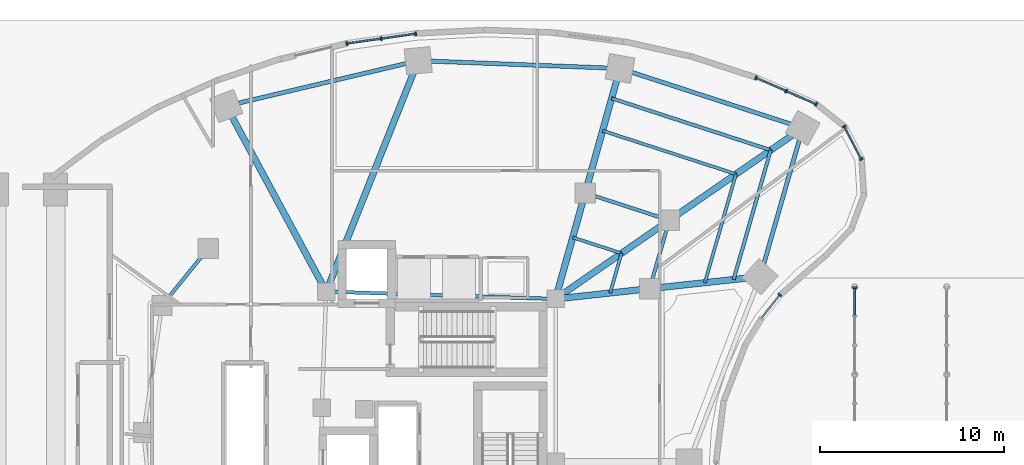
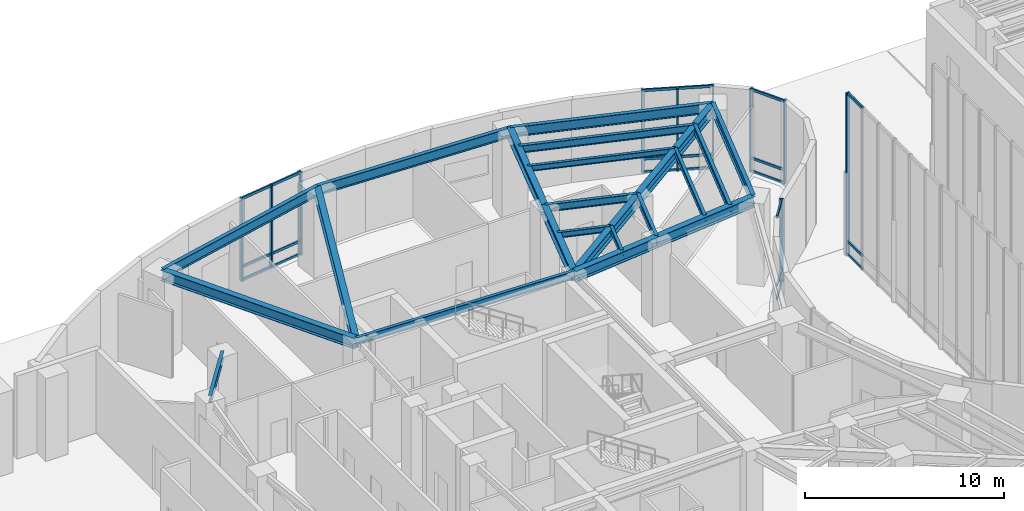
# One storey, part 11 of 28: 31 members, 22 beams, 5 elements without a shape of their own.
"""IFC4 building model written with IfcOpenShell, lengths in metres."""

from ifc_helpers import new_model, si_unit, direction, frame, origin, origin_2d, place, context, subcontext, project, spatial, rectangle, i_section, extrude, material, layer, layer_set, material_profile, profile_set, type_object, element, aggregate, save


model = new_model("IFC4")

# Units and contexts
model_context = context("Model", 3, precision=1e-05, world=origin(), true_north=direction((0.0, 1.0)))
body_context = subcontext(model_context, "Body", "Model", "MODEL_VIEW")
ifc_project = project(units=[si_unit("LENGTHUNIT", "METRE"), si_unit("AREAUNIT", "SQUARE_METRE"), si_unit("VOLUMEUNIT", "CUBIC_METRE"), si_unit("PLANEANGLEUNIT", "RADIAN"), si_unit("MASSUNIT", "GRAM", prefix="KILO")], contexts=[model_context])

# Site, building, storey
site_placement = place(None, origin())
site = spatial("IfcSite", under=ifc_project, at=site_placement, CompositionType="ELEMENT")
building_placement = place(site_placement, origin())
building = spatial("IfcBuilding", under=site, at=building_placement, Name="Korentha Bioscience Tower", CompositionType="ELEMENT")
storey_placement = place(building_placement, origin())
storey = spatial("IfcBuildingStorey", under=building, at=storey_placement, Name="L00", CompositionType="ELEMENT", Elevation=0.0)

# Beams
ifc_material_1 = material(Name="Steel S355", Category="steel")
ifc_material_profile_1 = material_profile(ifc_material_1, i_section(OverallWidth=0.18994140625, OverallDepth=0.45703125, WebThickness=0.009033203125, FlangeThickness=0.014404296875, at=origin_2d()), Name="Steel S355")
ifc_profile_set_1 = profile_set([ifc_material_profile_1], Name="Steel S355 (MB-460)")
beam_type_1 = type_object("IfcBeamType", Name="Mid-Ring Tie Girder W460x74", PredefinedType="BEAM", material=ifc_profile_set_1)
beam_1_placement = place(storey_placement, frame((43.7265625, 40.121337890625, 4.87158203125), z_axis=(-0.950877001105, 0.309568940253, 0.0), x_axis=(-0.309568940253, -0.950877001105, 0.0)))
element("IfcBeam", 1, at=beam_1_placement, inside=storey, type_object=beam_type_1, Name="L00 Mid-Ring Tie Girder 01", PredefinedType="BEAM", context=body_context, shape_type="SweptSolid", body=[
    extrude(i_section(OverallWidth=0.18994140625, OverallDepth=0.45703125, WebThickness=0.009033203125, FlangeThickness=0.014404296875, at=origin_2d()), origin(), (0.0, 0.0, 1.0), 4.80126953125),
])
beam_2_placement = place(storey_placement, frame((18.692138671875, 38.5947265625, 4.87158203125), z_axis=(-0.629790009744, -0.776765436684, 0.0), x_axis=(0.776765436684, -0.629790009744, 0.0)))
element("IfcBeam", 2, at=beam_2_placement, inside=storey, type_object=beam_type_1, Name="L00 Mid-Ring Tie Girder 05", PredefinedType="BEAM", context=body_context, shape_type="SweptSolid", body=[
    extrude(i_section(OverallWidth=0.18994140625, OverallDepth=0.45703125, WebThickness=0.009033203125, FlangeThickness=0.014404296875, at=origin_2d()), origin(), (0.0, 0.0, 1.0), 3.998291015625),
])
beam_3_placement = place(storey_placement, frame((42.66162109375, 36.406982421875, 4.87158203125), z_axis=(0.27560557792, 0.961270807535, 0.0), x_axis=(-0.961270807535, 0.27560557792, 0.0)))
element("IfcBeam", 3, at=beam_3_placement, inside=storey, type_object=beam_type_1, Name="L00 Mid-Ring Tie Girder 16", PredefinedType="BEAM", context=body_context, shape_type="SweptSolid", body=[
    extrude(i_section(OverallWidth=0.18994140625, OverallDepth=0.45703125, WebThickness=0.009033203125, FlangeThickness=0.014404296875, at=origin_2d()), origin(), (0.0, 0.0, 1.0), 3.864013671875),
])
beam_4_placement = place(storey_placement, frame((37.550048828125, 35.85009765625, 4.87158203125), z_axis=(-0.999484526071, 0.032104238723, 0.0), x_axis=(-0.032104238723, -0.999484526071, 0.0)))
element("IfcBeam", 4, at=beam_4_placement, inside=storey, type_object=beam_type_1, Name="L00 Core Ring Tie Girder 01", PredefinedType="BEAM", context=body_context, shape_type="SweptSolid", body=[
    extrude(i_section(OverallWidth=0.18994140625, OverallDepth=0.45703125, WebThickness=0.009033203125, FlangeThickness=0.014404296875, at=origin_2d()), origin(), (0.0, 0.0, 1.0), 12.456298828125),
])

# Curtain wall, members
ifc_material_2 = material(Name="Stone-Clad Aluminium Frame", Category="masonry")
ifc_layer_1 = layer(ifc_material_2, 0.219970703125, Name="Stone-Clad Aluminium Frame")
ifc_layer_set_1 = layer_set([ifc_layer_1], Name="Stone-Clad Aluminium Frame (CW-P1)")
curtain_wall_type_1 = type_object("IfcCurtainWallType", Name="Podium Double-Height Stone-Mullion Curtain Wall CW-P1", PredefinedType="USERDEFINED", material=ifc_layer_set_1)
curtain_wall_1_placement = place(storey_placement, origin())
curtain_wall_1 = element("IfcCurtainWall", 5, at=curtain_wall_1_placement, inside=storey, type_object=curtain_wall_type_1, Name="L00 Curtain Wall 01", ObjectType="UNITISED", PredefinedType="USERDEFINED")
ifc_material_3 = material(Name="Anodised Aluminium 6063-T6", Category="aluminium")
ifc_material_profile_2 = material_profile(ifc_material_3, rectangle(XDim=0.090087890625, YDim=0.199951171875, at=origin_2d()), Name="Anodised Aluminium 6063-T6")
ifc_profile_set_2 = profile_set([ifc_material_profile_2], Name="Anodised Aluminium 6063-T6 (CW-MUL)")
member_type_1 = type_object("IfcMemberType", Name="Mullion RECT 90x200", PredefinedType="MULLION", material=ifc_profile_set_2)
member_1_placement = place(storey_placement, frame((51.71337890625, 46.420654296875, 0.0), z_axis=(0.0, 0.0, 1.0), x_axis=(-0.91593909057, 0.401317308828, 0.0)))
member_1 = element("IfcMember", 6, at=member_1_placement, type_object=member_type_1, Name="CW-L00-01 Mullion 1", PredefinedType="MULLION", context=body_context, shape_type="SweptSolid", body=[
    extrude(rectangle(XDim=0.090087890625, YDim=0.199951171875, at=origin_2d()), origin(), (0.0, 0.0, 1.0), 5.10009765625),
])
member_2_placement = place(storey_placement, frame((50.072998046875, 47.139404296875, 0.0), z_axis=(0.0, 0.0, 1.0), x_axis=(-0.91593909057, 0.401317308828, 0.0)))
member_2 = element("IfcMember", 7, at=member_2_placement, type_object=member_type_1, Name="CW-L00-01 Mullion 2", PredefinedType="MULLION", context=body_context, shape_type="SweptSolid", body=[
    extrude(rectangle(XDim=0.090087890625, YDim=0.199951171875, at=origin_2d()), origin(), (0.0, 0.0, 1.0), 5.10009765625),
])
member_3_placement = place(storey_placement, frame((48.43212890625, 47.8583984375, 0.0), z_axis=(0.0, 0.0, 1.0), x_axis=(-0.91593909057, 0.401317308828, 0.0)))
member_3 = element("IfcMember", 8, at=member_3_placement, type_object=member_type_1, Name="CW-L00-01 Mullion 3", PredefinedType="MULLION", context=body_context, shape_type="SweptSolid", body=[
    extrude(rectangle(XDim=0.090087890625, YDim=0.199951171875, at=origin_2d()), origin(), (0.0, 0.0, 1.0), 5.10009765625),
])

curtain_wall_2_placement = place(storey_placement, origin())
curtain_wall_2 = element("IfcCurtainWall", 9, at=curtain_wall_2_placement, inside=storey, type_object=curtain_wall_type_1, Name="L00 Curtain Wall 07", ObjectType="UNITISED", PredefinedType="USERDEFINED")
member_4_placement = place(storey_placement, frame((29.95849609375, 50.247802734375, 0.0), z_axis=(0.0, 0.0, 1.0), x_axis=(-0.990167372968, -0.139887717511, 0.0)))
member_4 = element("IfcMember", 10, at=member_4_placement, type_object=member_type_1, Name="CW-L00-07 Mullion 1", PredefinedType="MULLION", context=body_context, shape_type="SweptSolid", body=[
    extrude(rectangle(XDim=0.090087890625, YDim=0.199951171875, at=origin_2d()), origin(), (0.0, 0.0, 1.0), 5.10009765625),
])
member_5_placement = place(storey_placement, frame((28.086669921875, 49.9833984375, 0.0), z_axis=(0.0, 0.0, 1.0), x_axis=(-0.990167372968, -0.139887717511, 0.0)))
member_5 = element("IfcMember", 11, at=member_5_placement, type_object=member_type_1, Name="CW-L00-07 Mullion 2", PredefinedType="MULLION", context=body_context, shape_type="SweptSolid", body=[
    extrude(rectangle(XDim=0.090087890625, YDim=0.199951171875, at=origin_2d()), origin(), (0.0, 0.0, 1.0), 5.10009765625),
])
member_6_placement = place(storey_placement, frame((26.214599609375, 49.718994140625, 0.0), z_axis=(0.0, 0.0, 1.0), x_axis=(-0.990167372968, -0.139887717511, 0.0)))
member_6 = element("IfcMember", 12, at=member_6_placement, type_object=member_type_1, Name="CW-L00-07 Mullion 3", PredefinedType="MULLION", context=body_context, shape_type="SweptSolid", body=[
    extrude(rectangle(XDim=0.090087890625, YDim=0.199951171875, at=origin_2d()), origin(), (0.0, 0.0, 1.0), 5.10009765625),
])

# Curtain wall, member
curtain_wall_3_placement = place(storey_placement, origin())
curtain_wall_3 = element("IfcCurtainWall", 13, at=curtain_wall_3_placement, inside=storey, type_object=curtain_wall_type_1, Name="L00 Curtain Wall 55", ObjectType="UNITISED", PredefinedType="USERDEFINED")
member_7_placement = place(storey_placement, frame((49.73291015625, 36.072021484375, 0.0), z_axis=(0.0, 0.0, 1.0), x_axis=(0.622520324648, 0.782603632371, 0.0)))
member_7 = element("IfcMember", 14, at=member_7_placement, type_object=member_type_1, Name="CW-L00-55 Mullion 2", PredefinedType="MULLION", context=body_context, shape_type="SweptSolid", body=[
    extrude(rectangle(XDim=0.090087890625, YDim=0.199951171875, at=origin_2d()), origin(), (0.0, 0.0, 1.0), 5.10009765625),
])

# Curtain wall, members
curtain_wall_4_placement = place(storey_placement, origin())
curtain_wall_4 = element("IfcCurtainWall", 15, at=curtain_wall_4_placement, inside=storey, type_object=curtain_wall_type_1, Name="L00 Curtain Wall 61", ObjectType="UNITISED", PredefinedType="USERDEFINED")
member_8_placement = place(storey_placement, frame((54.163330078125, 43.435302734375, 0.0), z_axis=(0.0, 0.0, 1.0), x_axis=(-0.463008597697, 0.886353788539, 0.0)))
member_8 = element("IfcMember", 16, at=member_8_placement, type_object=member_type_1, Name="CW-L00-61 Mullion 1", PredefinedType="MULLION", context=body_context, shape_type="SweptSolid", body=[
    extrude(rectangle(XDim=0.090087890625, YDim=0.199951171875, at=origin_2d()), origin(), (0.0, 0.0, 1.0), 5.10009765625),
])
member_9_placement = place(storey_placement, frame((53.22900390625, 45.2236328125, 0.0), z_axis=(0.0, 0.0, 1.0), x_axis=(-0.463008597697, 0.886353788539, 0.0)))
member_9 = element("IfcMember", 17, at=member_9_placement, type_object=member_type_1, Name="CW-L00-61 Mullion 2", PredefinedType="MULLION", context=body_context, shape_type="SweptSolid", body=[
    extrude(rectangle(XDim=0.090087890625, YDim=0.199951171875, at=origin_2d()), origin(), (0.0, 0.0, 1.0), 5.10009765625),
])

# Curtain wall, member
ifc_material_4 = material(Name="Painted Steel-Aluminium Mullion System", Category="steel")
ifc_layer_2 = layer(ifc_material_4, 0.219970703125, Name="Painted Steel-Aluminium Mullion System")
ifc_layer_set_2 = layer_set([ifc_layer_2], Name="Painted Steel-Aluminium Mullion System (CW-A1)")
curtain_wall_type_2 = type_object("IfcCurtainWallType", Name="Covered Public Arcade Glazed Wall CW-A1", PredefinedType="USERDEFINED", material=ifc_layer_set_2)
curtain_wall_5_placement = place(storey_placement, origin())
curtain_wall_5 = element("IfcCurtainWall", 18, at=curtain_wall_5_placement, inside=storey, type_object=curtain_wall_type_2, Name="Covered Arcade Curtain Wall W-4", ObjectType="ARCADE_GLAZING", PredefinedType="USERDEFINED")
member_10_placement = place(storey_placement, frame((53.800048828125, 36.455078125, 0.0), z_axis=(0.0, 0.0, 1.0), x_axis=(0.0, 1.0, 0.0)))
member_10 = element("IfcMember", 19, at=member_10_placement, type_object=member_type_1, Name="CW-ARC-W-4 Mullion 4", PredefinedType="MULLION", context=body_context, shape_type="SweptSolid", body=[
    extrude(rectangle(XDim=0.090087890625, YDim=0.199951171875, at=origin_2d()), origin(), (0.0, 0.0, 1.0), 9.9599609375),
])

# Beams
ifc_material_profile_3 = material_profile(ifc_material_1, i_section(OverallWidth=0.22802734375, OverallDepth=0.60791015625, WebThickness=0.01123046875, FlangeThickness=0.017333984375, at=origin_2d()), Name="Steel S355")
ifc_profile_set_3 = profile_set([ifc_material_profile_3], Name="Steel S355 (SB-610)")
beam_type_2 = type_object("IfcBeamType", Name="Perimeter Ring Spandrel Girder W610x113", PredefinedType="SPANDREL", material=ifc_profile_set_3)
beam_5_placement = place(storey_placement, frame((50.977294921875, 45.135498046875, 4.7958984375), z_axis=(-0.95087511444, 0.309574735305, 0.0), x_axis=(-0.309574735305, -0.95087511444, 0.0)))
element("IfcBeam", 20, at=beam_5_placement, inside=storey, type_object=beam_type_2, Name="L00 Perimeter Spandrel Girder 01", PredefinedType="SPANDREL", context=body_context, shape_type="SweptSolid", body=[
    extrude(i_section(OverallWidth=0.22802734375, OverallDepth=0.60791015625, WebThickness=0.01123046875, FlangeThickness=0.017333984375, at=origin_2d()), origin(), (0.0, 0.0, 1.0), 10.4375),
])
beam_6_placement = place(storey_placement, frame((41.052490234375, 48.36669921875, 4.7958984375), z_axis=(-0.999246003889, 0.03882555488, 0.0), x_axis=(-0.03882555488, -0.999246003889, 0.0)))
element("IfcBeam", 21, at=beam_6_placement, inside=storey, type_object=beam_type_2, Name="L00 Perimeter Spandrel Girder 02", PredefinedType="SPANDREL", context=body_context, shape_type="SweptSolid", body=[
    extrude(i_section(OverallWidth=0.22802734375, OverallDepth=0.60791015625, WebThickness=0.01123046875, FlangeThickness=0.017333984375, at=origin_2d()), origin(), (0.0, 0.0, 1.0), 10.966552734375),
])
beam_7_placement = place(storey_placement, frame((30.09423828125, 48.79248046875, 4.7958984375), z_axis=(-0.973207885376, -0.229926970672, 0.0), x_axis=(0.229926970672, -0.973207885376, 0.0)))
element("IfcBeam", 22, at=beam_7_placement, inside=storey, type_object=beam_type_2, Name="L00 Perimeter Spandrel Girder 03", PredefinedType="SPANDREL", context=body_context, shape_type="SweptSolid", body=[
    extrude(i_section(OverallWidth=0.22802734375, OverallDepth=0.60791015625, WebThickness=0.01123046875, FlangeThickness=0.017333984375, at=origin_2d()), origin(), (0.0, 0.0, 1.0), 10.71484375),
])
beam_8_placement = place(storey_placement, frame((48.661865234375, 37.060791015625, 4.7958984375), z_axis=(0.275642273411, 0.961260285827, 0.0), x_axis=(-0.961260285827, 0.275642273411, 0.0)))
element("IfcBeam", 23, at=beam_8_placement, inside=storey, type_object=beam_type_2, Name="L00 Perimeter Spandrel Girder 16", PredefinedType="SPANDREL", context=body_context, shape_type="SweptSolid", body=[
    extrude(i_section(OverallWidth=0.22802734375, OverallDepth=0.60791015625, WebThickness=0.01123046875, FlangeThickness=0.017333984375, at=origin_2d()), origin(), (0.0, 0.0, 1.0), 8.400146484375),
])
ifc_material_profile_4 = material_profile(ifc_material_1, i_section(OverallWidth=0.18994140625, OverallDepth=0.45703125, WebThickness=0.009033203125, FlangeThickness=0.014404296875, at=origin_2d()), Name="Steel S355")
ifc_profile_set_4 = profile_set([ifc_material_profile_4], Name="Steel S355 (RB-460)")
beam_type_3 = type_object("IfcBeamType", Name="Radial Laboratory Beam W460x74", PredefinedType="BEAM", material=ifc_profile_set_4)
beam_9_placement = place(storey_placement, frame((49.2373046875, 43.931884765625, 4.87158203125), z_axis=(-0.95087437499, 0.309577006554, 0.0), x_axis=(-0.309577006554, -0.95087437499, 0.0)))
element("IfcBeam", 24, at=beam_9_placement, inside=storey, type_object=beam_type_3, Name="L00 Secondary Floor Beam JSTO-01", PredefinedType="BEAM", context=body_context, shape_type="SweptSolid", body=[
    extrude(i_section(OverallWidth=0.18994140625, OverallDepth=0.45703125, WebThickness=0.009033203125, FlangeThickness=0.014404296875, at=origin_2d()), origin(), (0.0, 0.0, 1.0), 9.0849609375),
])
beam_10_placement = place(storey_placement, frame((47.2216796875, 36.90380859375, 4.87158203125), z_axis=(0.275682421415, 0.961248772443, 0.0), x_axis=(-0.961248772443, 0.275682421415, 0.0)))
element("IfcBeam", 25, at=beam_10_placement, inside=storey, type_object=beam_type_3, Name="L00 Secondary Floor Beam JSTO-16", PredefinedType="BEAM", context=body_context, shape_type="SweptSolid", body=[
    extrude(i_section(OverallWidth=0.18994140625, OverallDepth=0.45703125, WebThickness=0.009033203125, FlangeThickness=0.014404296875, at=origin_2d()), origin(), (0.0, 0.0, 1.0), 7.3115234375),
])
ifc_material_profile_5 = material_profile(ifc_material_1, i_section(OverallWidth=0.35009765625, OverallDepth=0.64990234375, WebThickness=0.01611328125, FlangeThickness=0.02490234375, at=origin_2d()), Name="Steel S355")
ifc_profile_set_5 = profile_set([ifc_material_profile_5], Name="Steel S355 (RB-650)")
beam_type_4 = type_object("IfcBeamType", Name="Radial Laboratory Girder CVS 650x208", PredefinedType="BEAM", material=ifc_profile_set_5)
beam_11_placement = place(storey_placement, frame((37.550048828125, 35.85009765625, 4.77490234375), z_axis=(0.822491697625, 0.568777115694, 0.0), x_axis=(-0.568777115694, 0.822491697625, 0.0)))
element("IfcBeam", 26, at=beam_11_placement, inside=storey, type_object=beam_type_4, Name="L00 Inner Radial Girder 01", PredefinedType="BEAM", context=body_context, shape_type="SweptSolid", body=[
    extrude(i_section(OverallWidth=0.35009765625, OverallDepth=0.64990234375, WebThickness=0.01611328125, FlangeThickness=0.02490234375, at=origin_2d()), origin(), (0.0, 0.0, 1.0), 7.509521484375),
])
beam_12_placement = place(storey_placement, frame((43.7265625, 40.121337890625, 4.77490234375), z_axis=(0.822488186113, 0.568782193555, 0.0), x_axis=(-0.568782193555, 0.822488186113, 0.0)))
element("IfcBeam", 27, at=beam_12_placement, inside=storey, type_object=beam_type_4, Name="L00 Outer Radial Girder 01", PredefinedType="BEAM", context=body_context, shape_type="SweptSolid", body=[
    extrude(i_section(OverallWidth=0.35009765625, OverallDepth=0.64990234375, WebThickness=0.01611328125, FlangeThickness=0.02490234375, at=origin_2d()), origin(), (0.0, 0.0, 1.0), 8.815673828125),
])
beam_13_placement = place(storey_placement, frame((37.550048828125, 35.85009765625, 4.77490234375), z_axis=(0.269469369205, 0.963008961049, 0.0), x_axis=(-0.963008961049, 0.269469369205, 0.0)))
element("IfcBeam", 28, at=beam_13_placement, inside=storey, type_object=beam_type_4, Name="L00 Inner Radial Girder 02", PredefinedType="BEAM", context=body_context, shape_type="SweptSolid", body=[
    extrude(i_section(OverallWidth=0.35009765625, OverallDepth=0.64990234375, WebThickness=0.01611328125, FlangeThickness=0.02490234375, at=origin_2d()), origin(), (0.0, 0.0, 1.0), 5.978759765625),
])
beam_14_placement = place(storey_placement, frame((39.1611328125, 41.607666015625, 4.77490234375), z_axis=(0.269475095129, 0.963007358801, 0.0), x_axis=(-0.963007358801, 0.269475095129, 0.0)))
element("IfcBeam", 29, at=beam_14_placement, inside=storey, type_object=beam_type_4, Name="L00 Outer Radial Girder 02", PredefinedType="BEAM", context=body_context, shape_type="SweptSolid", body=[
    extrude(i_section(OverallWidth=0.35009765625, OverallDepth=0.64990234375, WebThickness=0.01611328125, FlangeThickness=0.02490234375, at=origin_2d()), origin(), (0.0, 0.0, 1.0), 7.0185546875),
])
beam_15_placement = place(storey_placement, frame((25.10009765625, 36.25, 4.77490234375), z_axis=(0.369931007413, 0.929059228335, 0.0), x_axis=(-0.929059228335, 0.369931007413, 0.0)))
element("IfcBeam", 30, at=beam_15_placement, inside=storey, type_object=beam_type_4, Name="L00 Radial Girder 03", PredefinedType="BEAM", context=body_context, shape_type="SweptSolid", body=[
    extrude(i_section(OverallWidth=0.35009765625, OverallDepth=0.64990234375, WebThickness=0.01611328125, FlangeThickness=0.02490234375, at=origin_2d()), origin(), (0.0, 0.0, 1.0), 13.500244140625),
])
beam_16_placement = place(storey_placement, frame((25.10009765625, 36.25, 4.77490234375), z_axis=(-0.47454097106, 0.880233416081, 0.0), x_axis=(-0.880233416081, -0.47454097106, 0.0)))
element("IfcBeam", 31, at=beam_16_placement, inside=storey, type_object=beam_type_4, Name="L00 Radial Girder 04", PredefinedType="BEAM", context=body_context, shape_type="SweptSolid", body=[
    extrude(i_section(OverallWidth=0.35009765625, OverallDepth=0.64990234375, WebThickness=0.01611328125, FlangeThickness=0.02490234375, at=origin_2d()), origin(), (0.0, 0.0, 1.0), 11.4501953125),
])
beam_17_placement = place(storey_placement, frame((37.550048828125, 35.85009765625, 4.77490234375), z_axis=(0.994117709144, 0.10830503389, 0.0), x_axis=(-0.10830503389, 0.994117709144, 0.0)))
element("IfcBeam", 32, at=beam_17_placement, inside=storey, type_object=beam_type_4, Name="L00 Inner Radial Girder 16", PredefinedType="BEAM", context=body_context, shape_type="SweptSolid", body=[
    extrude(i_section(OverallWidth=0.35009765625, OverallDepth=0.64990234375, WebThickness=0.01611328125, FlangeThickness=0.02490234375, at=origin_2d()), origin(), (0.0, 0.0, 1.0), 5.141845703125),
])
beam_18_placement = place(storey_placement, frame((42.66162109375, 36.406982421875, 4.77490234375), z_axis=(0.994115805925, 0.108322501862, 0.0), x_axis=(-0.108322501862, 0.994115805925, 0.0)))
element("IfcBeam", 33, at=beam_18_placement, inside=storey, type_object=beam_type_4, Name="L00 Outer Radial Girder 16", PredefinedType="BEAM", context=body_context, shape_type="SweptSolid", body=[
    extrude(i_section(OverallWidth=0.35009765625, OverallDepth=0.64990234375, WebThickness=0.01611328125, FlangeThickness=0.02490234375, at=origin_2d()), origin(), (0.0, 0.0, 1.0), 6.03564453125),
])
ifc_material_profile_6 = material_profile(ifc_material_1, i_section(OverallWidth=0.1708984375, OverallDepth=0.35498046875, WebThickness=0.007080078125, FlangeThickness=0.01171875, at=origin_2d()), Name="Steel S355")
ifc_profile_set_6 = profile_set([ifc_material_profile_6], Name="Steel S355 (JB-360)")
beam_type_5 = type_object("IfcBeamType", Name="Secondary Laboratory Joist W360x51", PredefinedType="JOIST", material=ifc_profile_set_6)
beam_19_placement = place(storey_placement, frame((47.35205078125, 42.62841796875, 4.922607421875), z_axis=(-0.950870992772, 0.309587394938, 0.0), x_axis=(-0.309587394938, -0.950870992772, 0.0)))
element("IfcBeam", 34, at=beam_19_placement, inside=storey, type_object=beam_type_5, Name="L00 Secondary Floor Beam JST-01", PredefinedType="JOIST", context=body_context, shape_type="SweptSolid", body=[
    extrude(i_section(OverallWidth=0.1708984375, OverallDepth=0.35498046875, WebThickness=0.007080078125, FlangeThickness=0.01171875, at=origin_2d()), origin(), (0.0, 0.0, 1.0), 7.619384765625),
])
beam_20_placement = place(storey_placement, frame((41.13232421875, 38.327392578125, 4.922607421875), z_axis=(-0.950869630746, 0.309591578254, 0.0), x_axis=(-0.309591578254, -0.950869630746, 0.0)))
element("IfcBeam", 35, at=beam_20_placement, inside=storey, type_object=beam_type_5, Name="L00 Inner Bay Joist 01", PredefinedType="JOIST", context=body_context, shape_type="SweptSolid", body=[
    extrude(i_section(OverallWidth=0.1708984375, OverallDepth=0.35498046875, WebThickness=0.007080078125, FlangeThickness=0.01171875, at=origin_2d()), origin(), (0.0, 0.0, 1.0), 2.784423828125),
])
beam_21_placement = place(storey_placement, frame((45.66162109375, 36.73388671875, 4.922607421875), z_axis=(0.275667500387, 0.96125305161, 0.0), x_axis=(-0.96125305161, 0.275667500387, 0.0)))
element("IfcBeam", 36, at=beam_21_placement, inside=storey, type_object=beam_type_5, Name="L00 Secondary Floor Beam JST-16", PredefinedType="JOIST", context=body_context, shape_type="SweptSolid", body=[
    extrude(i_section(OverallWidth=0.1708984375, OverallDepth=0.35498046875, WebThickness=0.007080078125, FlangeThickness=0.01171875, at=origin_2d()), origin(), (0.0, 0.0, 1.0), 6.132080078125),
])
beam_22_placement = place(storey_placement, frame((40.5146484375, 36.173095703125, 4.922607421875), z_axis=(0.275613067773, 0.961268660091, 0.0), x_axis=(-0.961268660091, 0.275613067773, 0.0)))
element("IfcBeam", 37, at=beam_22_placement, inside=storey, type_object=beam_type_5, Name="L00 Inner Bay Joist 16", PredefinedType="JOIST", context=body_context, shape_type="SweptSolid", body=[
    extrude(i_section(OverallWidth=0.1708984375, OverallDepth=0.35498046875, WebThickness=0.007080078125, FlangeThickness=0.01171875, at=origin_2d()), origin(), (0.0, 0.0, 1.0), 2.2412109375),
])

# Member
ifc_material_profile_7 = material_profile(ifc_material_3, rectangle(XDim=0.090087890625, YDim=0.159912109375, at=origin_2d()), Name="Anodised Aluminium 6063-T6")
ifc_profile_set_7 = profile_set([ifc_material_profile_7], Name="Anodised Aluminium 6063-T6 (CW-TRN)")
member_type_2 = type_object("IfcMemberType", Name="Transom RECT 90x160", PredefinedType="USERDEFINED", material=ifc_profile_set_7)
member_11_placement = place(storey_placement, frame((51.67236328125, 46.438720703125, 0.044921875), z_axis=(-0.915976098914, 0.401232832926, 0.0), x_axis=(-0.401232832926, -0.915976098914, 0.0)))
member_11 = element("IfcMember", 38, at=member_11_placement, type_object=member_type_2, Name="CW-L00-01 Bay 1 Transom 1", ObjectType="TRANSOM", PredefinedType="USERDEFINED", context=body_context, shape_type="SweptSolid", body=[
    extrude(rectangle(XDim=0.090087890625, YDim=0.159912109375, at=origin_2d()), origin(), (0.0, 0.0, 1.0), 1.701416015625),
])

member_12_placement = place(storey_placement, frame((51.67236328125, 46.438720703125, 0.85009765625), z_axis=(-0.915976098914, 0.401232832926, 0.0), x_axis=(-0.401232832926, -0.915976098914, 0.0)))
member_12 = element("IfcMember", 39, at=member_12_placement, type_object=member_type_2, Name="CW-L00-01 Bay 1 Transom 2", ObjectType="TRANSOM", PredefinedType="USERDEFINED", context=body_context, shape_type="SweptSolid", body=[
    extrude(rectangle(XDim=0.090087890625, YDim=0.159912109375, at=origin_2d()), origin(), (0.0, 0.0, 1.0), 1.701416015625),
])

member_13_placement = place(storey_placement, frame((51.67236328125, 46.438720703125, 5.054931640625), z_axis=(-0.915976098914, 0.401232832926, 0.0), x_axis=(-0.401232832926, -0.915976098914, 0.0)))
member_13 = element("IfcMember", 40, at=member_13_placement, type_object=member_type_2, Name="CW-L00-01 Bay 1 Transom 3", ObjectType="TRANSOM", PredefinedType="USERDEFINED", context=body_context, shape_type="SweptSolid", body=[
    extrude(rectangle(XDim=0.090087890625, YDim=0.159912109375, at=origin_2d()), origin(), (0.0, 0.0, 1.0), 1.701416015625),
])

member_14_placement = place(storey_placement, frame((50.031494140625, 47.15771484375, 0.044921875), z_axis=(-0.915952992218, 0.401285579167, 0.0), x_axis=(-0.401285579167, -0.915952992218, 0.0)))
member_14 = element("IfcMember", 41, at=member_14_placement, type_object=member_type_2, Name="CW-L00-01 Bay 2 Transom 1", ObjectType="TRANSOM", PredefinedType="USERDEFINED", context=body_context, shape_type="SweptSolid", body=[
    extrude(rectangle(XDim=0.090087890625, YDim=0.159912109375, at=origin_2d()), origin(), (0.0, 0.0, 1.0), 1.701171875),
])

member_15_placement = place(storey_placement, frame((50.031494140625, 47.15771484375, 0.85009765625), z_axis=(-0.915952992218, 0.401285579167, 0.0), x_axis=(-0.401285579167, -0.915952992218, 0.0)))
member_15 = element("IfcMember", 42, at=member_15_placement, type_object=member_type_2, Name="CW-L00-01 Bay 2 Transom 2", ObjectType="TRANSOM", PredefinedType="USERDEFINED", context=body_context, shape_type="SweptSolid", body=[
    extrude(rectangle(XDim=0.090087890625, YDim=0.159912109375, at=origin_2d()), origin(), (0.0, 0.0, 1.0), 1.701171875),
])

member_16_placement = place(storey_placement, frame((50.031494140625, 47.15771484375, 5.054931640625), z_axis=(-0.915952992218, 0.401285579167, 0.0), x_axis=(-0.401285579167, -0.915952992218, 0.0)))
member_16 = element("IfcMember", 43, at=member_16_placement, type_object=member_type_2, Name="CW-L00-01 Bay 2 Transom 3", ObjectType="TRANSOM", PredefinedType="USERDEFINED", context=body_context, shape_type="SweptSolid", body=[
    extrude(rectangle(XDim=0.090087890625, YDim=0.159912109375, at=origin_2d()), origin(), (0.0, 0.0, 1.0), 1.701171875),
])

aggregate(curtain_wall_1, [member_1, member_2, member_3, member_11, member_12, member_13, member_14, member_15, member_16])

member_17_placement = place(storey_placement, frame((29.913818359375, 50.24169921875, 0.044921875), z_axis=(-0.990159924061, -0.139940432982, 0.0), x_axis=(0.139940432982, -0.990159924061, 0.0)))
member_17 = element("IfcMember", 44, at=member_17_placement, type_object=member_type_2, Name="CW-L00-07 Bay 1 Transom 1", ObjectType="TRANSOM", PredefinedType="USERDEFINED", context=body_context, shape_type="SweptSolid", body=[
    extrude(rectangle(XDim=0.090087890625, YDim=0.159912109375, at=origin_2d()), origin(), (0.0, 0.0, 1.0), 1.800537109375),
])

member_18_placement = place(storey_placement, frame((29.913818359375, 50.24169921875, 0.85009765625), z_axis=(-0.990159924061, -0.139940432982, 0.0), x_axis=(0.139940432982, -0.990159924061, 0.0)))
member_18 = element("IfcMember", 45, at=member_18_placement, type_object=member_type_2, Name="CW-L00-07 Bay 1 Transom 2", ObjectType="TRANSOM", PredefinedType="USERDEFINED", context=body_context, shape_type="SweptSolid", body=[
    extrude(rectangle(XDim=0.090087890625, YDim=0.159912109375, at=origin_2d()), origin(), (0.0, 0.0, 1.0), 1.800537109375),
])

member_19_placement = place(storey_placement, frame((29.913818359375, 50.24169921875, 5.054931640625), z_axis=(-0.990159924061, -0.139940432982, 0.0), x_axis=(0.139940432982, -0.990159924061, 0.0)))
member_19 = element("IfcMember", 46, at=member_19_placement, type_object=member_type_2, Name="CW-L00-07 Bay 1 Transom 3", ObjectType="TRANSOM", PredefinedType="USERDEFINED", context=body_context, shape_type="SweptSolid", body=[
    extrude(rectangle(XDim=0.090087890625, YDim=0.159912109375, at=origin_2d()), origin(), (0.0, 0.0, 1.0), 1.800537109375),
])

member_20_placement = place(storey_placement, frame((28.0419921875, 49.977294921875, 0.044921875), z_axis=(-0.990159924061, -0.139940432982, 0.0), x_axis=(0.139940432982, -0.990159924061, 0.0)))
member_20 = element("IfcMember", 47, at=member_20_placement, type_object=member_type_2, Name="CW-L00-07 Bay 2 Transom 1", ObjectType="TRANSOM", PredefinedType="USERDEFINED", context=body_context, shape_type="SweptSolid", body=[
    extrude(rectangle(XDim=0.090087890625, YDim=0.159912109375, at=origin_2d()), origin(), (0.0, 0.0, 1.0), 1.800537109375),
])

member_21_placement = place(storey_placement, frame((28.0419921875, 49.977294921875, 0.85009765625), z_axis=(-0.990159924061, -0.139940432982, 0.0), x_axis=(0.139940432982, -0.990159924061, 0.0)))
member_21 = element("IfcMember", 48, at=member_21_placement, type_object=member_type_2, Name="CW-L00-07 Bay 2 Transom 2", ObjectType="TRANSOM", PredefinedType="USERDEFINED", context=body_context, shape_type="SweptSolid", body=[
    extrude(rectangle(XDim=0.090087890625, YDim=0.159912109375, at=origin_2d()), origin(), (0.0, 0.0, 1.0), 1.800537109375),
])

member_22_placement = place(storey_placement, frame((28.0419921875, 49.977294921875, 5.054931640625), z_axis=(-0.990159924061, -0.139940432982, 0.0), x_axis=(0.139940432982, -0.990159924061, 0.0)))
member_22 = element("IfcMember", 49, at=member_22_placement, type_object=member_type_2, Name="CW-L00-07 Bay 2 Transom 3", ObjectType="TRANSOM", PredefinedType="USERDEFINED", context=body_context, shape_type="SweptSolid", body=[
    extrude(rectangle(XDim=0.090087890625, YDim=0.159912109375, at=origin_2d()), origin(), (0.0, 0.0, 1.0), 1.800537109375),
])

aggregate(curtain_wall_2, [member_4, member_5, member_6, member_17, member_18, member_19, member_20, member_21, member_22])

member_23_placement = place(storey_placement, frame((48.74755859375, 34.8330078125, 0.044921875), z_axis=(0.622563336945, 0.782569416405, 0.0), x_axis=(-0.782569416405, 0.622563336945, 0.0)))
member_23 = element("IfcMember", 50, at=member_23_placement, type_object=member_type_2, Name="CW-L00-55 Bay 1 Transom 1", ObjectType="TRANSOM", PredefinedType="USERDEFINED", context=body_context, shape_type="SweptSolid", body=[
    extrude(rectangle(XDim=0.090087890625, YDim=0.159912109375, at=origin_2d()), origin(), (0.0, 0.0, 1.0), 1.5380859375),
])

member_24_placement = place(storey_placement, frame((48.74755859375, 34.8330078125, 0.85009765625), z_axis=(0.622563336945, 0.782569416405, 0.0), x_axis=(-0.782569416405, 0.622563336945, 0.0)))
member_24 = element("IfcMember", 51, at=member_24_placement, type_object=member_type_2, Name="CW-L00-55 Bay 1 Transom 2", ObjectType="TRANSOM", PredefinedType="USERDEFINED", context=body_context, shape_type="SweptSolid", body=[
    extrude(rectangle(XDim=0.090087890625, YDim=0.159912109375, at=origin_2d()), origin(), (0.0, 0.0, 1.0), 1.5380859375),
])

member_25_placement = place(storey_placement, frame((48.74755859375, 34.8330078125, 5.054931640625), z_axis=(0.622563336945, 0.782569416405, 0.0), x_axis=(-0.782569416405, 0.622563336945, 0.0)))
member_25 = element("IfcMember", 52, at=member_25_placement, type_object=member_type_2, Name="CW-L00-55 Bay 1 Transom 3", ObjectType="TRANSOM", PredefinedType="USERDEFINED", context=body_context, shape_type="SweptSolid", body=[
    extrude(rectangle(XDim=0.090087890625, YDim=0.159912109375, at=origin_2d()), origin(), (0.0, 0.0, 1.0), 1.5380859375),
])

aggregate(curtain_wall_3, [member_7, member_23, member_24, member_25])

member_26_placement = place(storey_placement, frame((54.142333984375, 43.47509765625, 0.044921875), z_axis=(-0.462899248902, 0.886410900974, 0.0), x_axis=(-0.886410900974, -0.462899248902, 0.0)))
member_26 = element("IfcMember", 53, at=member_26_placement, type_object=member_type_2, Name="CW-L00-61 Bay 1 Transom 1", ObjectType="TRANSOM", PredefinedType="USERDEFINED", context=body_context, shape_type="SweptSolid", body=[
    extrude(rectangle(XDim=0.090087890625, YDim=0.159912109375, at=origin_2d()), origin(), (0.0, 0.0, 1.0), 1.927734375),
])

member_27_placement = place(storey_placement, frame((54.142333984375, 43.47509765625, 0.85009765625), z_axis=(-0.462899248902, 0.886410900974, 0.0), x_axis=(-0.886410900974, -0.462899248902, 0.0)))
member_27 = element("IfcMember", 54, at=member_27_placement, type_object=member_type_2, Name="CW-L00-61 Bay 1 Transom 2", ObjectType="TRANSOM", PredefinedType="USERDEFINED", context=body_context, shape_type="SweptSolid", body=[
    extrude(rectangle(XDim=0.090087890625, YDim=0.159912109375, at=origin_2d()), origin(), (0.0, 0.0, 1.0), 1.927734375),
])

member_28_placement = place(storey_placement, frame((54.142333984375, 43.47509765625, 5.054931640625), z_axis=(-0.462899248902, 0.886410900974, 0.0), x_axis=(-0.886410900974, -0.462899248902, 0.0)))
member_28 = element("IfcMember", 55, at=member_28_placement, type_object=member_type_2, Name="CW-L00-61 Bay 1 Transom 3", ObjectType="TRANSOM", PredefinedType="USERDEFINED", context=body_context, shape_type="SweptSolid", body=[
    extrude(rectangle(XDim=0.090087890625, YDim=0.159912109375, at=origin_2d()), origin(), (0.0, 0.0, 1.0), 1.927734375),
])

aggregate(curtain_wall_4, [member_8, member_9, member_26, member_27, member_28])

member_29_placement = place(storey_placement, frame((53.800048828125, 34.961669921875, 0.044921875), z_axis=(0.0, 1.0, 0.0), x_axis=(-1.0, 0.0, 0.0)))
member_29 = element("IfcMember", 56, at=member_29_placement, type_object=member_type_2, Name="CW-ARC-W-4 Bay 3 Transom 1", ObjectType="TRANSOM", PredefinedType="USERDEFINED", context=body_context, shape_type="SweptSolid", body=[
    extrude(rectangle(XDim=0.090087890625, YDim=0.159912109375, at=origin_2d()), origin(), (0.0, 0.0, 1.0), 1.4482421875),
])

member_30_placement = place(storey_placement, frame((53.800048828125, 34.961669921875, 0.85009765625), z_axis=(0.0, 1.0, 0.0), x_axis=(-1.0, 0.0, 0.0)))
member_30 = element("IfcMember", 57, at=member_30_placement, type_object=member_type_2, Name="CW-ARC-W-4 Bay 3 Transom 2", ObjectType="TRANSOM", PredefinedType="USERDEFINED", context=body_context, shape_type="SweptSolid", body=[
    extrude(rectangle(XDim=0.090087890625, YDim=0.159912109375, at=origin_2d()), origin(), (0.0, 0.0, 1.0), 1.4482421875),
])

member_31_placement = place(storey_placement, frame((53.800048828125, 34.961669921875, 9.9150390625), z_axis=(0.0, 1.0, 0.0), x_axis=(-1.0, 0.0, 0.0)))
member_31 = element("IfcMember", 58, at=member_31_placement, type_object=member_type_2, Name="CW-ARC-W-4 Bay 3 Transom 3", ObjectType="TRANSOM", PredefinedType="USERDEFINED", context=body_context, shape_type="SweptSolid", body=[
    extrude(rectangle(XDim=0.090087890625, YDim=0.159912109375, at=origin_2d()), origin(), (0.0, 0.0, 1.0), 1.4482421875),
])

aggregate(curtain_wall_5, [member_10, member_29, member_30, member_31])

save(model, "model.ifc")
